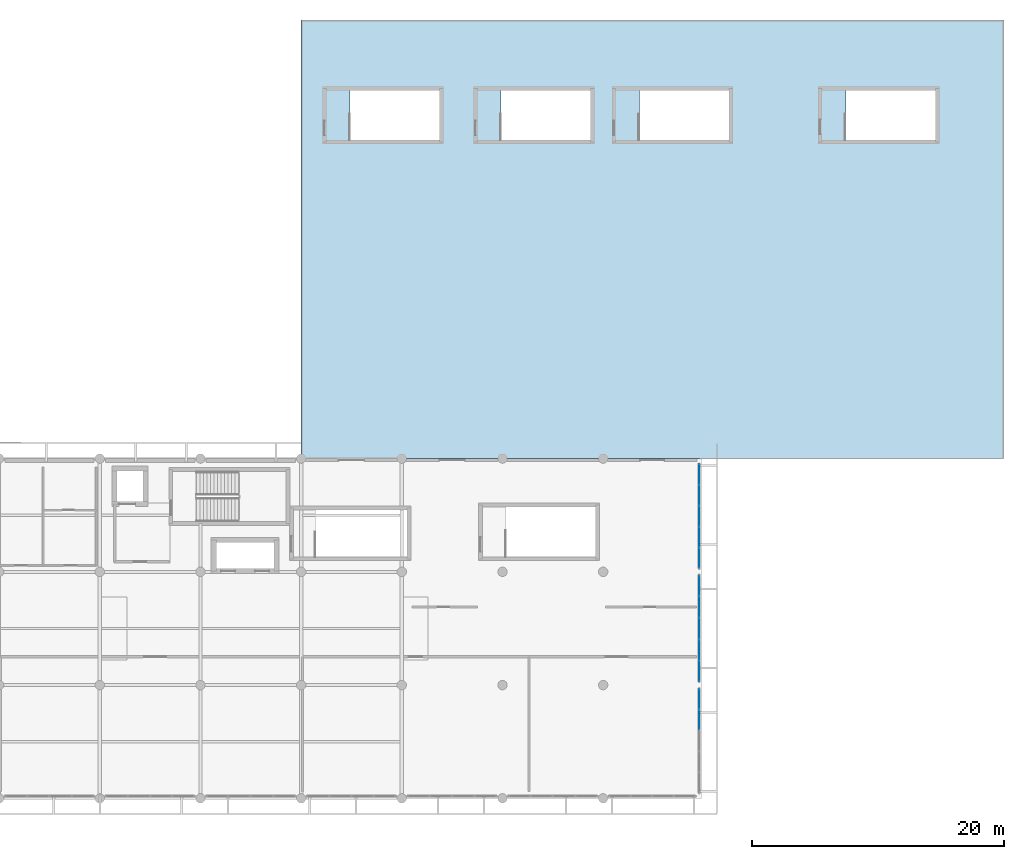
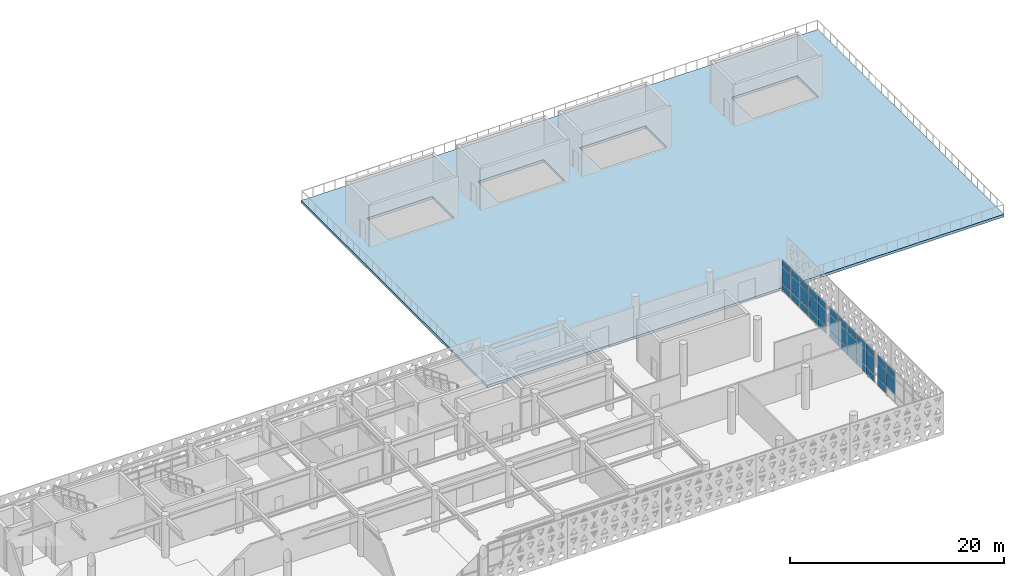
# One storey, part 20 of 33: 35 plates, 1 slab, 3 elements without a shape of their own.
"""IFC4 building model written with IfcOpenShell, lengths in metres."""

from ifc_helpers import new_model, si_unit, direction, frame, origin, origin_2d, place, context, subcontext, project, spatial, polyline, rectangle, outline, extrude, material, layer, layer_set, type_object, element, aggregate, save


model = new_model("IFC4")

# Units and contexts
model_context = context("Model", 3, precision=1e-05, world=origin(), true_north=direction((0.0, 1.0)))
body_context = subcontext(model_context, "Body", "Model", "MODEL_VIEW")
ifc_project = project(units=[si_unit("LENGTHUNIT", "METRE"), si_unit("AREAUNIT", "SQUARE_METRE"), si_unit("VOLUMEUNIT", "CUBIC_METRE"), si_unit("PLANEANGLEUNIT", "RADIAN"), si_unit("MASSUNIT", "GRAM", prefix="KILO")], contexts=[model_context])

# Site, building, storey
site_placement = place(None, origin())
site = spatial("IfcSite", under=ifc_project, at=site_placement, CompositionType="ELEMENT")
building_placement = place(site_placement, origin())
building = spatial("IfcBuilding", under=site, at=building_placement, Name="Tlacozan Convention Centre", CompositionType="ELEMENT")
storey_placement = place(building_placement, frame((0.0, 0.0, 16.199951171875)))
storey = spatial("IfcBuildingStorey", under=building, at=storey_placement, Name="L03", CompositionType="ELEMENT", Elevation=16.199951171875)

# Curtain wall, plates
ifc_material_1 = material(Name="Dark Bronze Anodised Aluminium", Category="aluminium")
ifc_layer_1 = layer(ifc_material_1, 0.159912109375)
ifc_layer_set_1 = layer_set([ifc_layer_1], Name="Dark Bronze Anodised Aluminium")
curtain_wall_type = type_object("IfcCurtainWallType", Name="Unitised Congress Gable End CW06", PredefinedType="NOTDEFINED", material=ifc_layer_set_1)
curtain_wall_1_placement = place(storey_placement, origin())
curtain_wall_1 = element("IfcCurtainWall", 1, at=curtain_wall_1_placement, inside=storey, type_object=curtain_wall_type, Name="L03 CW-06 Run 119", PredefinedType="NOTDEFINED")
ifc_material_2 = material(Name="Solar Control Double Low-E Argon Glazing", Category="glass")
ifc_layer_2 = layer(ifc_material_2, 0.02001953125)
ifc_layer_set_2 = layer_set([ifc_layer_2], Name="Solar Control Double Low-E Argon Glazing")
plate_type = type_object("IfcPlateType", Name="Double Low-E Glazed CW Panel 20", PredefinedType="CURTAIN_PANEL", material=ifc_layer_set_2)
plate_1_placement = place(storey_placement, frame((119.639892578125, 6.248046875, 0.929931640625), z_axis=(0.0, 0.0, 1.0), x_axis=(0.0, 1.0, 0.0)))
plate_1 = element("IfcPlate", 2, at=plate_1_placement, type_object=plate_type, Name="CW-06 panel 4.2", PredefinedType="CURTAIN_PANEL", context=body_context, shape_type="SweptSolid", body=[
    extrude(rectangle(XDim=1.60791015625, YDim=0.02001953125, at=origin_2d()), origin(), (0.0, 0.0, 1.0), 1.7900390625),
])
plate_2_placement = place(storey_placement, frame((119.639892578125, 6.248046875, 2.7802734375), z_axis=(0.0, 0.0, 1.0), x_axis=(0.0, 1.0, 0.0)))
plate_2 = element("IfcPlate", 3, at=plate_2_placement, type_object=plate_type, Name="CW-06 panel 4.3", PredefinedType="CURTAIN_PANEL", context=body_context, shape_type="SweptSolid", body=[
    extrude(rectangle(XDim=1.60791015625, YDim=0.02001953125, at=origin_2d()), origin(), (0.0, 0.0, 1.0), 0.760009765625),
])
plate_3_placement = place(storey_placement, frame((119.639892578125, 7.90087890625, 0.06005859375), z_axis=(0.0, 0.0, 1.0), x_axis=(0.0, 1.0, 0.0)))
plate_3 = element("IfcPlate", 4, at=plate_3_placement, type_object=plate_type, Name="CW-06 panel 5.1", PredefinedType="CURTAIN_PANEL", context=body_context, shape_type="SweptSolid", body=[
    extrude(rectangle(XDim=1.577880859375, YDim=0.02001953125, at=origin_2d()), origin(), (0.0, 0.0, 1.0), 0.81005859375),
])
plate_4_placement = place(storey_placement, frame((119.639892578125, 7.90087890625, 0.929931640625), z_axis=(0.0, 0.0, 1.0), x_axis=(0.0, 1.0, 0.0)))
plate_4 = element("IfcPlate", 5, at=plate_4_placement, type_object=plate_type, Name="CW-06 panel 5.2", PredefinedType="CURTAIN_PANEL", context=body_context, shape_type="SweptSolid", body=[
    extrude(rectangle(XDim=1.577880859375, YDim=0.02001953125, at=origin_2d()), origin(), (0.0, 0.0, 1.0), 1.7900390625),
])
plate_5_placement = place(storey_placement, frame((119.639892578125, 7.90087890625, 2.7802734375), z_axis=(0.0, 0.0, 1.0), x_axis=(0.0, 1.0, 0.0)))
plate_5 = element("IfcPlate", 6, at=plate_5_placement, type_object=plate_type, Name="CW-06 panel 5.3", PredefinedType="CURTAIN_PANEL", context=body_context, shape_type="SweptSolid", body=[
    extrude(rectangle(XDim=1.577880859375, YDim=0.02001953125, at=origin_2d()), origin(), (0.0, 0.0, 1.0), 0.760009765625),
])
aggregate(curtain_wall_1, [plate_1, plate_2, plate_3, plate_4, plate_5])

curtain_wall_2_placement = place(storey_placement, origin())
curtain_wall_2 = element("IfcCurtainWall", 7, at=curtain_wall_2_placement, inside=storey, type_object=curtain_wall_type, Name="L03 CW-06 Run 121", PredefinedType="NOTDEFINED")
plate_6_placement = place(storey_placement, frame((119.639892578125, 10.114990234375, 0.06005859375), z_axis=(0.0, 0.0, 1.0), x_axis=(0.0, 1.0, 0.0)))
plate_6 = element("IfcPlate", 8, at=plate_6_placement, type_object=plate_type, Name="CW-06 panel 1.1", PredefinedType="CURTAIN_PANEL", context=body_context, shape_type="SweptSolid", body=[
    extrude(rectangle(XDim=1.610107421875, YDim=0.02001953125, at=origin_2d()), origin(), (0.0, 0.0, 1.0), 0.81005859375),
])
plate_7_placement = place(storey_placement, frame((119.639892578125, 10.114990234375, 0.929931640625), z_axis=(0.0, 0.0, 1.0), x_axis=(0.0, 1.0, 0.0)))
plate_7 = element("IfcPlate", 9, at=plate_7_placement, type_object=plate_type, Name="CW-06 panel 1.2", PredefinedType="CURTAIN_PANEL", context=body_context, shape_type="SweptSolid", body=[
    extrude(rectangle(XDim=1.610107421875, YDim=0.02001953125, at=origin_2d()), origin(), (0.0, 0.0, 1.0), 1.7900390625),
])
plate_8_placement = place(storey_placement, frame((119.639892578125, 10.114990234375, 2.7802734375), z_axis=(0.0, 0.0, 1.0), x_axis=(0.0, 1.0, 0.0)))
plate_8 = element("IfcPlate", 10, at=plate_8_placement, type_object=plate_type, Name="CW-06 panel 1.3", PredefinedType="CURTAIN_PANEL", context=body_context, shape_type="SweptSolid", body=[
    extrude(rectangle(XDim=1.610107421875, YDim=0.02001953125, at=origin_2d()), origin(), (0.0, 0.0, 1.0), 0.760009765625),
])
plate_9_placement = place(storey_placement, frame((119.639892578125, 11.800048828125, 0.06005859375), z_axis=(0.0, 0.0, 1.0), x_axis=(0.0, 1.0, 0.0)))
plate_9 = element("IfcPlate", 11, at=plate_9_placement, type_object=plate_type, Name="CW-06 panel 2.1", PredefinedType="CURTAIN_PANEL", context=body_context, shape_type="SweptSolid", body=[
    extrude(rectangle(XDim=1.639892578125, YDim=0.02001953125, at=origin_2d()), origin(), (0.0, 0.0, 1.0), 0.81005859375),
])
plate_10_placement = place(storey_placement, frame((119.639892578125, 11.800048828125, 0.929931640625), z_axis=(0.0, 0.0, 1.0), x_axis=(0.0, 1.0, 0.0)))
plate_10 = element("IfcPlate", 12, at=plate_10_placement, type_object=plate_type, Name="CW-06 panel 2.2", PredefinedType="CURTAIN_PANEL", context=body_context, shape_type="SweptSolid", body=[
    extrude(rectangle(XDim=1.639892578125, YDim=0.02001953125, at=origin_2d()), origin(), (0.0, 0.0, 1.0), 1.7900390625),
])
plate_11_placement = place(storey_placement, frame((119.639892578125, 11.800048828125, 2.7802734375), z_axis=(0.0, 0.0, 1.0), x_axis=(0.0, 1.0, 0.0)))
plate_11 = element("IfcPlate", 13, at=plate_11_placement, type_object=plate_type, Name="CW-06 panel 2.3", PredefinedType="CURTAIN_PANEL", context=body_context, shape_type="SweptSolid", body=[
    extrude(rectangle(XDim=1.639892578125, YDim=0.02001953125, at=origin_2d()), origin(), (0.0, 0.0, 1.0), 0.760009765625),
])
plate_12_placement = place(storey_placement, frame((119.639892578125, 13.5, 0.06005859375), z_axis=(0.0, 0.0, 1.0), x_axis=(0.0, 1.0, 0.0)))
plate_12 = element("IfcPlate", 14, at=plate_12_placement, type_object=plate_type, Name="CW-06 panel 3.1", PredefinedType="CURTAIN_PANEL", context=body_context, shape_type="SweptSolid", body=[
    extrude(rectangle(XDim=1.639892578125, YDim=0.02001953125, at=origin_2d()), origin(), (0.0, 0.0, 1.0), 0.81005859375),
])
plate_13_placement = place(storey_placement, frame((119.639892578125, 13.5, 0.929931640625), z_axis=(0.0, 0.0, 1.0), x_axis=(0.0, 1.0, 0.0)))
plate_13 = element("IfcPlate", 15, at=plate_13_placement, type_object=plate_type, Name="CW-06 panel 3.2", PredefinedType="CURTAIN_PANEL", context=body_context, shape_type="SweptSolid", body=[
    extrude(rectangle(XDim=1.639892578125, YDim=0.02001953125, at=origin_2d()), origin(), (0.0, 0.0, 1.0), 1.7900390625),
])
plate_14_placement = place(storey_placement, frame((119.639892578125, 13.5, 2.7802734375), z_axis=(0.0, 0.0, 1.0), x_axis=(0.0, 1.0, 0.0)))
plate_14 = element("IfcPlate", 16, at=plate_14_placement, type_object=plate_type, Name="CW-06 panel 3.3", PredefinedType="CURTAIN_PANEL", context=body_context, shape_type="SweptSolid", body=[
    extrude(rectangle(XDim=1.639892578125, YDim=0.02001953125, at=origin_2d()), origin(), (0.0, 0.0, 1.0), 0.760009765625),
])
plate_15_placement = place(storey_placement, frame((119.639892578125, 15.199951171875, 0.06005859375), z_axis=(0.0, 0.0, 1.0), x_axis=(0.0, 1.0, 0.0)))
plate_15 = element("IfcPlate", 17, at=plate_15_placement, type_object=plate_type, Name="CW-06 panel 4.1", PredefinedType="CURTAIN_PANEL", context=body_context, shape_type="SweptSolid", body=[
    extrude(rectangle(XDim=1.639892578125, YDim=0.02001953125, at=origin_2d()), origin(), (0.0, 0.0, 1.0), 0.81005859375),
])
plate_16_placement = place(storey_placement, frame((119.639892578125, 15.199951171875, 0.929931640625), z_axis=(0.0, 0.0, 1.0), x_axis=(0.0, 1.0, 0.0)))
plate_16 = element("IfcPlate", 18, at=plate_16_placement, type_object=plate_type, Name="CW-06 panel 4.2", PredefinedType="CURTAIN_PANEL", context=body_context, shape_type="SweptSolid", body=[
    extrude(rectangle(XDim=1.639892578125, YDim=0.02001953125, at=origin_2d()), origin(), (0.0, 0.0, 1.0), 1.7900390625),
])
plate_17_placement = place(storey_placement, frame((119.639892578125, 15.199951171875, 2.7802734375), z_axis=(0.0, 0.0, 1.0), x_axis=(0.0, 1.0, 0.0)))
plate_17 = element("IfcPlate", 19, at=plate_17_placement, type_object=plate_type, Name="CW-06 panel 4.3", PredefinedType="CURTAIN_PANEL", context=body_context, shape_type="SweptSolid", body=[
    extrude(rectangle(XDim=1.639892578125, YDim=0.02001953125, at=origin_2d()), origin(), (0.0, 0.0, 1.0), 0.760009765625),
])
plate_18_placement = place(storey_placement, frame((119.639892578125, 16.885009765625, 0.06005859375), z_axis=(0.0, 0.0, 1.0), x_axis=(0.0, 1.0, 0.0)))
plate_18 = element("IfcPlate", 20, at=plate_18_placement, type_object=plate_type, Name="CW-06 panel 5.1", PredefinedType="CURTAIN_PANEL", context=body_context, shape_type="SweptSolid", body=[
    extrude(rectangle(XDim=1.610107421875, YDim=0.02001953125, at=origin_2d()), origin(), (0.0, 0.0, 1.0), 0.81005859375),
])
plate_19_placement = place(storey_placement, frame((119.639892578125, 16.885009765625, 0.929931640625), z_axis=(0.0, 0.0, 1.0), x_axis=(0.0, 1.0, 0.0)))
plate_19 = element("IfcPlate", 21, at=plate_19_placement, type_object=plate_type, Name="CW-06 panel 5.2", PredefinedType="CURTAIN_PANEL", context=body_context, shape_type="SweptSolid", body=[
    extrude(rectangle(XDim=1.610107421875, YDim=0.02001953125, at=origin_2d()), origin(), (0.0, 0.0, 1.0), 1.7900390625),
])
plate_20_placement = place(storey_placement, frame((119.639892578125, 16.885009765625, 2.7802734375), z_axis=(0.0, 0.0, 1.0), x_axis=(0.0, 1.0, 0.0)))
plate_20 = element("IfcPlate", 22, at=plate_20_placement, type_object=plate_type, Name="CW-06 panel 5.3", PredefinedType="CURTAIN_PANEL", context=body_context, shape_type="SweptSolid", body=[
    extrude(rectangle(XDim=1.610107421875, YDim=0.02001953125, at=origin_2d()), origin(), (0.0, 0.0, 1.0), 0.760009765625),
])
aggregate(curtain_wall_2, [plate_6, plate_7, plate_8, plate_9, plate_10, plate_11, plate_12, plate_13, plate_14, plate_15, plate_16, plate_17, plate_18, plate_19, plate_20])

curtain_wall_3_placement = place(storey_placement, origin())
curtain_wall_3 = element("IfcCurtainWall", 23, at=curtain_wall_3_placement, inside=storey, type_object=curtain_wall_type, Name="L03 CW-06 Run 123", PredefinedType="NOTDEFINED")
plate_21_placement = place(storey_placement, frame((119.639892578125, 19.09912109375, 0.06005859375), z_axis=(0.0, 0.0, 1.0), x_axis=(0.0, 1.0, 0.0)))
plate_21 = element("IfcPlate", 24, at=plate_21_placement, type_object=plate_type, Name="CW-06 panel 1.1", PredefinedType="CURTAIN_PANEL", context=body_context, shape_type="SweptSolid", body=[
    extrude(rectangle(XDim=1.577880859375, YDim=0.02001953125, at=origin_2d()), origin(), (0.0, 0.0, 1.0), 0.81005859375),
])
plate_22_placement = place(storey_placement, frame((119.639892578125, 19.09912109375, 0.929931640625), z_axis=(0.0, 0.0, 1.0), x_axis=(0.0, 1.0, 0.0)))
plate_22 = element("IfcPlate", 25, at=plate_22_placement, type_object=plate_type, Name="CW-06 panel 1.2", PredefinedType="CURTAIN_PANEL", context=body_context, shape_type="SweptSolid", body=[
    extrude(rectangle(XDim=1.577880859375, YDim=0.02001953125, at=origin_2d()), origin(), (0.0, 0.0, 1.0), 1.7900390625),
])
plate_23_placement = place(storey_placement, frame((119.639892578125, 19.09912109375, 2.7802734375), z_axis=(0.0, 0.0, 1.0), x_axis=(0.0, 1.0, 0.0)))
plate_23 = element("IfcPlate", 26, at=plate_23_placement, type_object=plate_type, Name="CW-06 panel 1.3", PredefinedType="CURTAIN_PANEL", context=body_context, shape_type="SweptSolid", body=[
    extrude(rectangle(XDim=1.577880859375, YDim=0.02001953125, at=origin_2d()), origin(), (0.0, 0.0, 1.0), 0.760009765625),
])
plate_24_placement = place(storey_placement, frame((119.639892578125, 20.751953125, 0.06005859375), z_axis=(0.0, 0.0, 1.0), x_axis=(0.0, 1.0, 0.0)))
plate_24 = element("IfcPlate", 27, at=plate_24_placement, type_object=plate_type, Name="CW-06 panel 2.1", PredefinedType="CURTAIN_PANEL", context=body_context, shape_type="SweptSolid", body=[
    extrude(rectangle(XDim=1.60791015625, YDim=0.02001953125, at=origin_2d()), origin(), (0.0, 0.0, 1.0), 0.81005859375),
])
plate_25_placement = place(storey_placement, frame((119.639892578125, 20.751953125, 0.929931640625), z_axis=(0.0, 0.0, 1.0), x_axis=(0.0, 1.0, 0.0)))
plate_25 = element("IfcPlate", 28, at=plate_25_placement, type_object=plate_type, Name="CW-06 panel 2.2", PredefinedType="CURTAIN_PANEL", context=body_context, shape_type="SweptSolid", body=[
    extrude(rectangle(XDim=1.60791015625, YDim=0.02001953125, at=origin_2d()), origin(), (0.0, 0.0, 1.0), 1.7900390625),
])
plate_26_placement = place(storey_placement, frame((119.639892578125, 20.751953125, 2.7802734375), z_axis=(0.0, 0.0, 1.0), x_axis=(0.0, 1.0, 0.0)))
plate_26 = element("IfcPlate", 29, at=plate_26_placement, type_object=plate_type, Name="CW-06 panel 2.3", PredefinedType="CURTAIN_PANEL", context=body_context, shape_type="SweptSolid", body=[
    extrude(rectangle(XDim=1.60791015625, YDim=0.02001953125, at=origin_2d()), origin(), (0.0, 0.0, 1.0), 0.760009765625),
])
plate_27_placement = place(storey_placement, frame((119.639892578125, 22.419921875, 0.06005859375), z_axis=(0.0, 0.0, 1.0), x_axis=(0.0, 1.0, 0.0)))
plate_27 = element("IfcPlate", 30, at=plate_27_placement, type_object=plate_type, Name="CW-06 panel 3.1", PredefinedType="CURTAIN_PANEL", context=body_context, shape_type="SweptSolid", body=[
    extrude(rectangle(XDim=1.60791015625, YDim=0.02001953125, at=origin_2d()), origin(), (0.0, 0.0, 1.0), 0.81005859375),
])
plate_28_placement = place(storey_placement, frame((119.639892578125, 22.419921875, 0.929931640625), z_axis=(0.0, 0.0, 1.0), x_axis=(0.0, 1.0, 0.0)))
plate_28 = element("IfcPlate", 31, at=plate_28_placement, type_object=plate_type, Name="CW-06 panel 3.2", PredefinedType="CURTAIN_PANEL", context=body_context, shape_type="SweptSolid", body=[
    extrude(rectangle(XDim=1.60791015625, YDim=0.02001953125, at=origin_2d()), origin(), (0.0, 0.0, 1.0), 1.7900390625),
])
plate_29_placement = place(storey_placement, frame((119.639892578125, 22.419921875, 2.7802734375), z_axis=(0.0, 0.0, 1.0), x_axis=(0.0, 1.0, 0.0)))
plate_29 = element("IfcPlate", 32, at=plate_29_placement, type_object=plate_type, Name="CW-06 panel 3.3", PredefinedType="CURTAIN_PANEL", context=body_context, shape_type="SweptSolid", body=[
    extrude(rectangle(XDim=1.60791015625, YDim=0.02001953125, at=origin_2d()), origin(), (0.0, 0.0, 1.0), 0.760009765625),
])
plate_30_placement = place(storey_placement, frame((119.639892578125, 24.087890625, 0.06005859375), z_axis=(0.0, 0.0, 1.0), x_axis=(0.0, 1.0, 0.0)))
plate_30 = element("IfcPlate", 33, at=plate_30_placement, type_object=plate_type, Name="CW-06 panel 4.1", PredefinedType="CURTAIN_PANEL", context=body_context, shape_type="SweptSolid", body=[
    extrude(rectangle(XDim=1.60791015625, YDim=0.02001953125, at=origin_2d()), origin(), (0.0, 0.0, 1.0), 0.81005859375),
])
plate_31_placement = place(storey_placement, frame((119.639892578125, 24.087890625, 0.929931640625), z_axis=(0.0, 0.0, 1.0), x_axis=(0.0, 1.0, 0.0)))
plate_31 = element("IfcPlate", 34, at=plate_31_placement, type_object=plate_type, Name="CW-06 panel 4.2", PredefinedType="CURTAIN_PANEL", context=body_context, shape_type="SweptSolid", body=[
    extrude(rectangle(XDim=1.60791015625, YDim=0.02001953125, at=origin_2d()), origin(), (0.0, 0.0, 1.0), 1.7900390625),
])
plate_32_placement = place(storey_placement, frame((119.639892578125, 24.087890625, 2.7802734375), z_axis=(0.0, 0.0, 1.0), x_axis=(0.0, 1.0, 0.0)))
plate_32 = element("IfcPlate", 35, at=plate_32_placement, type_object=plate_type, Name="CW-06 panel 4.3", PredefinedType="CURTAIN_PANEL", context=body_context, shape_type="SweptSolid", body=[
    extrude(rectangle(XDim=1.60791015625, YDim=0.02001953125, at=origin_2d()), origin(), (0.0, 0.0, 1.0), 0.760009765625),
])
plate_33_placement = place(storey_placement, frame((119.639892578125, 25.740966796875, 0.06005859375), z_axis=(0.0, 0.0, 1.0), x_axis=(0.0, 1.0, 0.0)))
plate_33 = element("IfcPlate", 36, at=plate_33_placement, type_object=plate_type, Name="CW-06 panel 5.1", PredefinedType="CURTAIN_PANEL", context=body_context, shape_type="SweptSolid", body=[
    extrude(rectangle(XDim=1.577880859375, YDim=0.02001953125, at=origin_2d()), origin(), (0.0, 0.0, 1.0), 0.81005859375),
])
plate_34_placement = place(storey_placement, frame((119.639892578125, 25.740966796875, 0.929931640625), z_axis=(0.0, 0.0, 1.0), x_axis=(0.0, 1.0, 0.0)))
plate_34 = element("IfcPlate", 37, at=plate_34_placement, type_object=plate_type, Name="CW-06 panel 5.2", PredefinedType="CURTAIN_PANEL", context=body_context, shape_type="SweptSolid", body=[
    extrude(rectangle(XDim=1.577880859375, YDim=0.02001953125, at=origin_2d()), origin(), (0.0, 0.0, 1.0), 1.7900390625),
])
plate_35_placement = place(storey_placement, frame((119.639892578125, 25.740966796875, 2.7802734375), z_axis=(0.0, 0.0, 1.0), x_axis=(0.0, 1.0, 0.0)))
plate_35 = element("IfcPlate", 38, at=plate_35_placement, type_object=plate_type, Name="CW-06 panel 5.3", PredefinedType="CURTAIN_PANEL", context=body_context, shape_type="SweptSolid", body=[
    extrude(rectangle(XDim=1.577880859375, YDim=0.02001953125, at=origin_2d()), origin(), (0.0, 0.0, 1.0), 0.760009765625),
])
aggregate(curtain_wall_3, [plate_21, plate_22, plate_23, plate_24, plate_25, plate_26, plate_27, plate_28, plate_29, plate_30, plate_31, plate_32, plate_33, plate_34, plate_35])

# Slab
ifc_material_3 = material(Name="Concrete C40/50", Category="concrete")
ifc_layer_3 = layer(ifc_material_3, 0.300048828125)
ifc_layer_set_3 = layer_set([ifc_layer_3], Name="Concrete C40/50")
slab_type = type_object("IfcSlabType", Name="Outdoor Planted Prairie Terrace Slab 300", PredefinedType="FLOOR", material=ifc_layer_set_3)
slab_placement = place(storey_placement, frame((0.0, 0.0, -0.300048828125)))
element("IfcSlab", 39, at=slab_placement, inside=storey, type_object=slab_type, Name="L03 Outdoor Planted Prairie Terrace Slab 300 83", PredefinedType="FLOOR", context=body_context, shape_type="SweptSolid", body=[
    extrude(outline(polyline([(88.0, 27.0), (88.0, 61.85009765625), (143.85009765625, 61.85009765625), (143.85009765625, 27.0), (88.0, 27.0)]), holes=[polyline([(99.0, 52.300048828125), (99.0, 56.260009765625), (91.8798828125, 56.260009765625), (91.8798828125, 52.300048828125), (99.0, 52.300048828125)]), polyline([(111.0, 52.300048828125), (111.0, 56.260009765625), (103.8798828125, 56.260009765625), (103.8798828125, 52.300048828125), (111.0, 52.300048828125)]), polyline([(114.8798828125, 52.300048828125), (122.0, 52.300048828125), (122.0, 56.260009765625), (114.8798828125, 56.260009765625), (114.8798828125, 52.300048828125)]), polyline([(131.280029296875, 52.300048828125), (138.39990234375, 52.300048828125), (138.39990234375, 56.260009765625), (131.280029296875, 56.260009765625), (131.280029296875, 52.300048828125)])]), origin(), (0.0, 0.0, 1.0), 0.300048828125),
])

save(model, "model.ifc")
